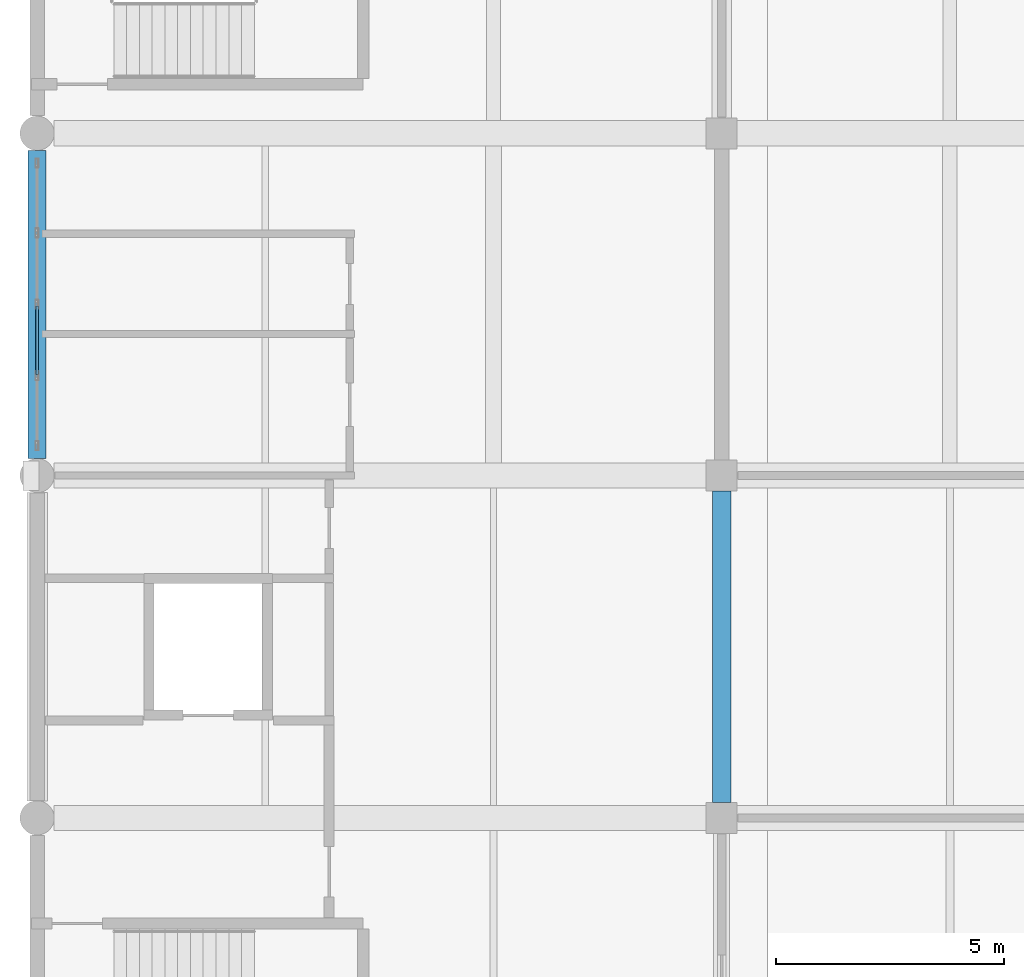
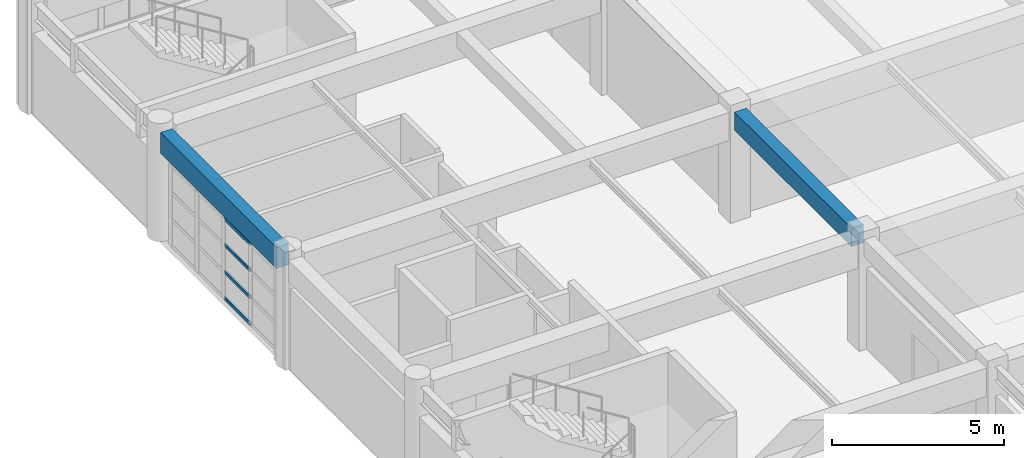
# One storey, part 17 of 132: 4 members, 2 beams, 1 element without a shape of its own.
"""IFC4 building model written with IfcOpenShell, lengths in metres."""

from ifc_helpers import new_model, si_unit, direction, frame, origin, origin_2d, place, context, subcontext, project, spatial, rectangle, hollow_rectangle, extrude, material, material_profile, profile_set, type_object, element, aggregate, save


model = new_model("IFC4")

# Units and contexts
model_context = context("Model", 3, precision=1e-05, world=origin(), true_north=direction((0.0, 1.0)))
body_context = subcontext(model_context, "Body", "Model", "MODEL_VIEW")
ifc_project = project(units=[si_unit("LENGTHUNIT", "METRE"), si_unit("AREAUNIT", "SQUARE_METRE"), si_unit("VOLUMEUNIT", "CUBIC_METRE"), si_unit("PLANEANGLEUNIT", "RADIAN"), si_unit("MASSUNIT", "GRAM", prefix="KILO")], contexts=[model_context])

# Site, building, storey
site_placement = place(None, origin())
site = spatial("IfcSite", under=ifc_project, at=site_placement, CompositionType="ELEMENT")
building_placement = place(site_placement, origin())
building = spatial("IfcBuilding", under=site, at=building_placement, Name="Qasida Concert Hall", CompositionType="ELEMENT")
storey_placement = place(building_placement, frame((0.0, 0.0, 4.800048828125)))
storey = spatial("IfcBuildingStorey", under=building, at=storey_placement, Name="L01", CompositionType="ELEMENT", Elevation=4.800048828125)

# Beams
ifc_material_1 = material(Name="Concrete C40/50", Category="concrete")
ifc_material_profile_1 = material_profile(ifc_material_1, rectangle(XDim=0.39990234375, YDim=0.64990234375, at=origin_2d()), Name="RC 400x650")
ifc_profile_set_1 = profile_set([ifc_material_profile_1], Name="Concrete C40/50")
beam_type_1 = type_object("IfcBeamType", Name="BM-B1", PredefinedType="BEAM", material=ifc_profile_set_1)
beam_1_placement = place(storey_placement, frame((15.0, 30.340087890625, 3.594970703125), z_axis=(0.0, 1.0, 0.0), x_axis=(-1.0, 0.0, 0.0)))
element("IfcBeam", 1, at=beam_1_placement, inside=storey, type_object=beam_type_1, Name="L01 girder 0931", PredefinedType="BEAM", context=body_context, shape_type="SweptSolid", body=[
    extrude(rectangle(XDim=0.39990234375, YDim=0.64990234375, at=origin_2d()), origin(), (0.0, 0.0, 1.0), 6.81982421875),
])
ifc_material_profile_2 = material_profile(ifc_material_1, rectangle(XDim=0.39990234375, YDim=0.75, at=origin_2d()), Name="RC 400x750")
ifc_profile_set_2 = profile_set([ifc_material_profile_2], Name="Concrete C40/50")
beam_type_2 = type_object("IfcBeamType", Name="BM-SP1", PredefinedType="SPANDREL", material=ifc_profile_set_2)
beam_2_placement = place(storey_placement, frame((0.0, 37.875, 3.544921875), z_axis=(0.0, 1.0, 0.0), x_axis=(-1.0, 0.0, 0.0)))
element("IfcBeam", 2, at=beam_2_placement, inside=storey, type_object=beam_type_2, Name="L01 girder 0925", PredefinedType="SPANDREL", context=body_context, shape_type="SweptSolid", body=[
    extrude(rectangle(XDim=0.39990234375, YDim=0.75, at=origin_2d()), origin(), (0.0, 0.0, 1.0), 6.75),
])

# Curtain wall, members
ifc_material_2 = material(Name="Architectural bronze-anodized aluminium and low-E glass", Category="aluminium")
curtain_wall_type = type_object("IfcCurtainWallType", Name="CW-07", PredefinedType="NOTDEFINED", material=ifc_material_2)
curtain_wall_placement = place(storey_placement, origin())
curtain_wall = element("IfcCurtainWall", 3, at=curtain_wall_placement, inside=storey, type_object=curtain_wall_type, Name="L01 curtain wall CW-07 0096", PredefinedType="NOTDEFINED")
ifc_material_3 = material(Name="Architectural bronze-anodized aluminium EN AW-6063", Category="aluminium")
ifc_material_profile_3 = material_profile(ifc_material_3, hollow_rectangle(XDim=0.06005859375, YDim=0.1201171875, WallThickness=0.00390625, InnerFilletRadius=0.00390625, OuterFilletRadius=0.008056640625, at=origin_2d()), Name="CWT 120x60x4")
ifc_profile_set_3 = profile_set([ifc_material_profile_3], Name="Architectural bronze-anodized aluminium EN AW-6063")
member_type = type_object("IfcMemberType", Name="MB-CWT-2", PredefinedType="USERDEFINED", material=ifc_profile_set_3)
member_1_placement = place(storey_placement, frame((0.0, 39.717529296875, 0.030029296875), z_axis=(0.0, 1.0, 0.0), x_axis=(-1.0, 0.0, 0.0)))
member_1 = element("IfcMember", 4, at=member_1_placement, type_object=member_type, Name="CW-07 transom 2.1", ObjectType="TRANSOM", PredefinedType="USERDEFINED", context=body_context, shape_type="SweptSolid", body=[
    extrude(hollow_rectangle(XDim=0.06005859375, YDim=0.1201171875, WallThickness=0.00390625, InnerFilletRadius=0.00390625, OuterFilletRadius=0.008056640625, at=origin_2d()), origin(), (0.0, 0.0, 1.0), 1.5),
])
member_2_placement = place(storey_placement, frame((0.0, 39.717529296875, 0.963134765625), z_axis=(0.0, 1.0, 0.0), x_axis=(-1.0, 0.0, 0.0)))
member_2 = element("IfcMember", 5, at=member_2_placement, type_object=member_type, Name="CW-07 transom 2.2", ObjectType="TRANSOM", PredefinedType="USERDEFINED", context=body_context, shape_type="SweptSolid", body=[
    extrude(hollow_rectangle(XDim=0.06005859375, YDim=0.1201171875, WallThickness=0.00390625, InnerFilletRadius=0.00390625, OuterFilletRadius=0.008056640625, at=origin_2d()), origin(), (0.0, 0.0, 1.0), 1.5),
])
member_3_placement = place(storey_placement, frame((0.0, 39.717529296875, 1.9267578125), z_axis=(0.0, 1.0, 0.0), x_axis=(-1.0, 0.0, 0.0)))
member_3 = element("IfcMember", 6, at=member_3_placement, type_object=member_type, Name="CW-07 transom 2.3", ObjectType="TRANSOM", PredefinedType="USERDEFINED", context=body_context, shape_type="SweptSolid", body=[
    extrude(hollow_rectangle(XDim=0.06005859375, YDim=0.1201171875, WallThickness=0.00390625, InnerFilletRadius=0.00390625, OuterFilletRadius=0.008056640625, at=origin_2d()), origin(), (0.0, 0.0, 1.0), 1.5),
])
member_4_placement = place(storey_placement, frame((0.0, 39.717529296875, 2.85986328125), z_axis=(0.0, 1.0, 0.0), x_axis=(-1.0, 0.0, 0.0)))
member_4 = element("IfcMember", 7, at=member_4_placement, type_object=member_type, Name="CW-07 transom 2.4", ObjectType="TRANSOM", PredefinedType="USERDEFINED", context=body_context, shape_type="SweptSolid", body=[
    extrude(hollow_rectangle(XDim=0.06005859375, YDim=0.1201171875, WallThickness=0.00390625, InnerFilletRadius=0.00390625, OuterFilletRadius=0.008056640625, at=origin_2d()), origin(), (0.0, 0.0, 1.0), 1.5),
])
aggregate(curtain_wall, [member_1, member_2, member_3, member_4])

save(model, "model.ifc")
